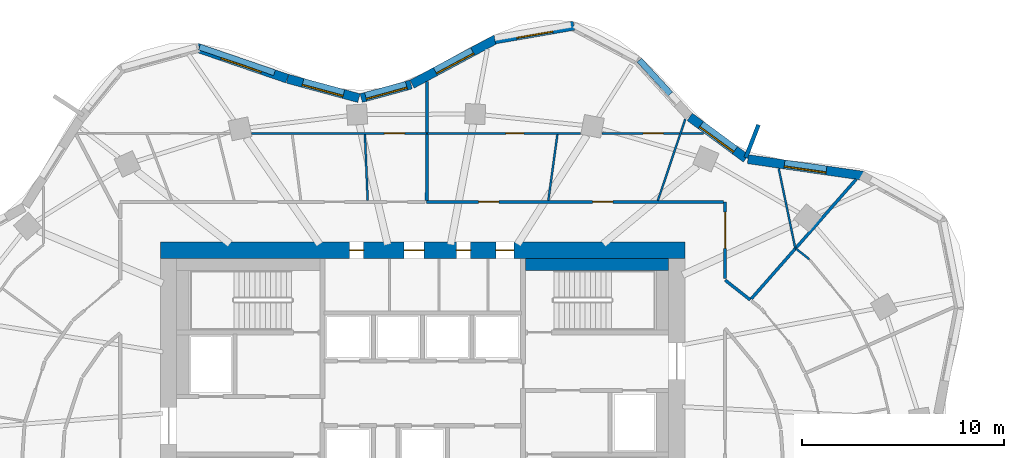
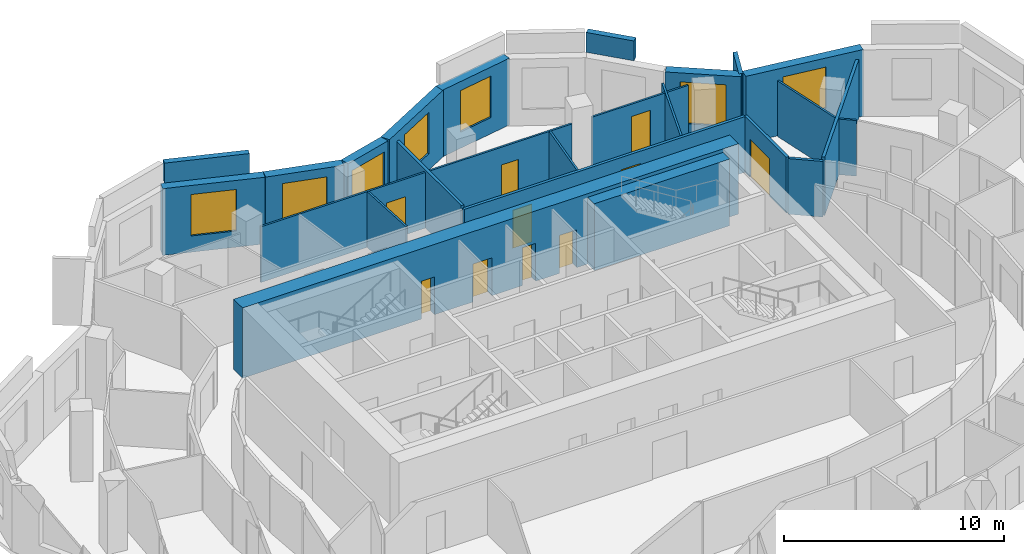
# One storey, part 9 of 11: 25 walls, 10 doors, 7 windows, 17 openings.
"""IFC4 building model written with IfcOpenShell, lengths in metres."""

from ifc_helpers import new_model, si_unit, direction, frame, frame_2d, origin, place, context, subcontext, project, spatial, rectangle, extrude, material, layer, layer_set, type_object, element, fill, save


model = new_model("IFC4")

# Units and contexts
model_context = context("Model", 3, precision=1e-05, world=origin(), true_north=direction((0.0, 1.0)))
body_context = subcontext(model_context, "Body", "Model", "MODEL_VIEW")
ifc_project = project(units=[si_unit("LENGTHUNIT", "METRE"), si_unit("AREAUNIT", "SQUARE_METRE"), si_unit("VOLUMEUNIT", "CUBIC_METRE"), si_unit("PLANEANGLEUNIT", "RADIAN"), si_unit("MASSUNIT", "GRAM", prefix="KILO")], contexts=[model_context])

# Site, building, storey
site_placement = place(None, origin())
site = spatial("IfcSite", under=ifc_project, at=site_placement, CompositionType="ELEMENT")
building_placement = place(site_placement, origin())
building = spatial("IfcBuilding", under=site, at=building_placement, Name="Rubra Terraces Tower", CompositionType="ELEMENT")
storey_placement = place(building_placement, frame((0.0, 0.0, 181.800048828125)))
storey = spatial("IfcBuildingStorey", under=building, at=storey_placement, Name="L44", CompositionType="ELEMENT", Elevation=181.800048828125)

# Wall, opening, window
ifc_material_1 = material(Name="Brick masonry red-brown", Category="masonry")
ifc_layer_1 = layer(ifc_material_1, 0.449951171875)
ifc_layer_set_1 = layer_set([ifc_layer_1], Name="Brick masonry red-brown")
wall_type_1 = type_object("IfcWallType", Name="Brick facade wall 450", PredefinedType="SOLIDWALL", material=ifc_layer_set_1)
wall_1_placement = place(storey_placement, frame((21.8251953125, 15.297119140625, 0.0), z_axis=(0.0, 0.0, 1.0), x_axis=(-0.98971474215, 0.143054986527, 0.0)))
wall_1 = element("IfcWall", 1, at=wall_1_placement, inside=storey, type_object=wall_type_1, Name="Facade wall L44 bay 5", PredefinedType="SOLIDWALL", context=body_context, shape_type="SweptSolid", body=[
    extrude(rectangle(XDim=5.7529296875, YDim=0.449951171875, at=frame_2d((2.87646484375, 0.0))), origin(), (0.0, 0.0, 1.0), 3.699951171875),
])
opening_1_placement = place(wall_1_placement, frame((1.826416015625, 0.0, 0.89990234375)))
opening_1 = element("IfcOpeningElement", 2, at=opening_1_placement, cuts=wall_1, Name="Opening W1B", PredefinedType="OPENING", context=body_context, shape_type="SweptSolid", body=[
    extrude(rectangle(XDim=2.10009765625, YDim=2.300048828125, at=frame_2d((1.050048828125, 1.14990234375))), frame((0.0, 0.23486328125, 0.0), z_axis=(0.0, -1.0, 0.0), x_axis=(1.0, 0.0, 0.0)), (0.0, 0.0, 1.0), 0.469970703125),
])
ifc_material_2 = material(Name="Clear glass in aluminium frame", Category="aluminium")
window_type_1 = type_object("IfcWindowType", Name="Fixed deep-set window tall storey 2100 x 2300", PartitioningType="SINGLE_PANEL", PredefinedType="WINDOW", material=ifc_material_2)
window_1_placement = place(opening_1_placement, origin())
window_1 = element("IfcWindow", 3, at=window_1_placement, inside=storey, type_object=window_type_1, Name="Window L44 bay 5", OverallHeight=2.300048828125, OverallWidth=2.10009765625, PartitioningType="SINGLE_PANEL", PredefinedType="WINDOW", context=body_context, shape_type="SweptSolid", body=[
    extrude(rectangle(XDim=2.10009765625, YDim=2.300048828125, at=frame_2d((1.050048828125, 1.14990234375))), frame((0.0, 0.135009765625, 0.0), z_axis=(0.0, -1.0, 0.0), x_axis=(1.0, 0.0, 0.0)), (0.0, 0.0, 1.0), 0.06005859375),
])
fill(opening_1, window_1)

wall_2_placement = place(storey_placement, frame((16.03564453125, 16.15771484375, 0.0), z_axis=(0.0, 0.0, 1.0), x_axis=(-0.805181432967, 0.593028549064, 0.0)))
wall_2 = element("IfcWall", 4, at=wall_2_placement, inside=storey, type_object=wall_type_1, Name="Facade wall L44 bay 6", PredefinedType="SOLIDWALL", context=body_context, shape_type="SweptSolid", body=[
    extrude(rectangle(XDim=3.468505859375, YDim=0.449951171875, at=frame_2d((1.734375, 0.0))), origin(), (0.0, 0.0, 1.0), 3.699951171875),
])
opening_2_placement = place(wall_2_placement, frame((0.684326171875, 0.0, 0.89990234375)))
opening_2 = element("IfcOpeningElement", 5, at=opening_2_placement, cuts=wall_2, Name="Opening W1B", PredefinedType="OPENING", context=body_context, shape_type="SweptSolid", body=[
    extrude(rectangle(XDim=2.10009765625, YDim=2.300048828125, at=frame_2d((1.050048828125, 1.14990234375))), frame((0.0, 0.23486328125, 0.0), z_axis=(0.0, -1.0, 0.0), x_axis=(1.0, 0.0, 0.0)), (0.0, 0.0, 1.0), 0.469970703125),
])
window_2_placement = place(opening_2_placement, origin())
window_2 = element("IfcWindow", 6, at=window_2_placement, inside=storey, type_object=window_type_1, Name="Window L44 bay 6", OverallHeight=2.300048828125, OverallWidth=2.10009765625, PartitioningType="SINGLE_PANEL", PredefinedType="WINDOW", context=body_context, shape_type="SweptSolid", body=[
    extrude(rectangle(XDim=2.10009765625, YDim=2.300048828125, at=frame_2d((1.050048828125, 1.14990234375))), frame((0.0, 0.135009765625, 0.0), z_axis=(0.0, -1.0, 0.0), x_axis=(1.0, 0.0, 0.0)), (0.0, 0.0, 1.0), 0.06005859375),
])
fill(opening_2, window_2)

wall_3_placement = place(storey_placement, frame((7.49853515625, 22.7373046875, 0.0), z_axis=(0.0, 0.0, 1.0), x_axis=(-0.98521220506, -0.171338585849, 0.0)))
wall_3 = element("IfcWall", 7, at=wall_3_placement, inside=storey, type_object=wall_type_1, Name="Facade wall L44 bay 9", PredefinedType="SOLIDWALL", context=body_context, shape_type="SweptSolid", body=[
    extrude(rectangle(XDim=3.979736328125, YDim=0.449951171875, at=frame_2d((1.98974609375, 0.0))), origin(), (0.0, 0.0, 1.0), 3.699951171875),
])
opening_3_placement = place(wall_3_placement, frame((1.08984375, 0.0, 0.89990234375)))
opening_3 = element("IfcOpeningElement", 8, at=opening_3_placement, cuts=wall_3, Name="Opening W6B", PredefinedType="OPENING", context=body_context, shape_type="SweptSolid", body=[
    extrude(rectangle(XDim=1.800048828125, YDim=2.300048828125, at=frame_2d((0.89990234375, 1.14990234375))), frame((0.0, 0.23486328125, 0.0), z_axis=(0.0, -1.0, 0.0), x_axis=(1.0, 0.0, 0.0)), (0.0, 0.0, 1.0), 0.469970703125),
])
window_type_2 = type_object("IfcWindowType", Name="Fixed deep-set window at wind fin tall storey 1800 x 2300", PartitioningType="SINGLE_PANEL", PredefinedType="WINDOW", material=ifc_material_2)
window_3_placement = place(opening_3_placement, origin())
window_3 = element("IfcWindow", 9, at=window_3_placement, inside=storey, type_object=window_type_2, Name="Window L44 bay 9", OverallHeight=2.300048828125, OverallWidth=1.800048828125, PartitioningType="SINGLE_PANEL", PredefinedType="WINDOW", context=body_context, shape_type="SweptSolid", body=[
    extrude(rectangle(XDim=1.800048828125, YDim=2.300048828125, at=frame_2d((0.89990234375, 1.14990234375))), frame((0.0, 0.135009765625, 0.0), z_axis=(0.0, -1.0, 0.0), x_axis=(1.0, 0.0, 0.0)), (0.0, 0.0, 1.0), 0.06005859375),
])
fill(opening_3, window_3)

wall_4_placement = place(storey_placement, frame((3.6455078125, 22.07861328125, 0.0), z_axis=(0.0, 0.0, 1.0), x_axis=(-0.881279133897, -0.472596115259, 0.0)))
wall_4 = element("IfcWall", 10, at=wall_4_placement, inside=storey, type_object=wall_type_1, Name="Facade wall L44 bay 10", PredefinedType="SOLIDWALL", context=body_context, shape_type="SweptSolid", body=[
    extrude(rectangle(XDim=4.736572265625, YDim=0.449951171875, at=frame_2d((2.3681640625, 0.0))), origin(), (0.0, 0.0, 1.0), 3.699951171875),
])
opening_4_placement = place(wall_4_placement, frame((1.318115234375, 0.0, 0.89990234375)))
opening_4 = element("IfcOpeningElement", 11, at=opening_4_placement, cuts=wall_4, Name="Opening W1B", PredefinedType="OPENING", context=body_context, shape_type="SweptSolid", body=[
    extrude(rectangle(XDim=2.10009765625, YDim=2.300048828125, at=frame_2d((1.050048828125, 1.14990234375))), frame((0.0, 0.23486328125, 0.0), z_axis=(0.0, -1.0, 0.0), x_axis=(1.0, 0.0, 0.0)), (0.0, 0.0, 1.0), 0.469970703125),
])
window_4_placement = place(opening_4_placement, origin())
window_4 = element("IfcWindow", 12, at=window_4_placement, inside=storey, type_object=window_type_1, Name="Window L44 bay 10", OverallHeight=2.300048828125, OverallWidth=2.10009765625, PartitioningType="SINGLE_PANEL", PredefinedType="WINDOW", context=body_context, shape_type="SweptSolid", body=[
    extrude(rectangle(XDim=2.10009765625, YDim=2.300048828125, at=frame_2d((1.050048828125, 1.14990234375))), frame((0.0, 0.135009765625, 0.0), z_axis=(0.0, -1.0, 0.0), x_axis=(1.0, 0.0, 0.0)), (0.0, 0.0, 1.0), 0.06005859375),
])
fill(opening_4, window_4)

wall_5_placement = place(storey_placement, frame((-0.576171875, 19.8212890625, 0.0), z_axis=(0.0, 0.0, 1.0), x_axis=(-0.965009398019, -0.262215296532, 0.0)))
wall_5 = element("IfcWall", 13, at=wall_5_placement, inside=storey, type_object=wall_type_1, Name="Facade wall L44 bay 11", PredefinedType="SOLIDWALL", context=body_context, shape_type="SweptSolid", body=[
    extrude(rectangle(XDim=2.565185546875, YDim=0.449951171875, at=frame_2d((1.28271484375, 0.0))), origin(), (0.0, 0.0, 1.0), 3.699951171875),
])
opening_5_placement = place(wall_5_placement, frame((0.232666015625, 0.0, 0.89990234375)))
opening_5 = element("IfcOpeningElement", 14, at=opening_5_placement, cuts=wall_5, Name="Opening W1B", PredefinedType="OPENING", context=body_context, shape_type="SweptSolid", body=[
    extrude(rectangle(XDim=2.10009765625, YDim=2.300048828125, at=frame_2d((1.050048828125, 1.14990234375))), frame((0.0, 0.23486328125, 0.0), z_axis=(0.0, -1.0, 0.0), x_axis=(1.0, 0.0, 0.0)), (0.0, 0.0, 1.0), 0.469970703125),
])
window_5_placement = place(opening_5_placement, origin())
window_5 = element("IfcWindow", 15, at=window_5_placement, inside=storey, type_object=window_type_1, Name="Window L44 bay 11", OverallHeight=2.300048828125, OverallWidth=2.10009765625, PartitioningType="SINGLE_PANEL", PredefinedType="WINDOW", context=body_context, shape_type="SweptSolid", body=[
    extrude(rectangle(XDim=2.10009765625, YDim=2.300048828125, at=frame_2d((1.050048828125, 1.14990234375))), frame((0.0, 0.135009765625, 0.0), z_axis=(0.0, -1.0, 0.0), x_axis=(1.0, 0.0, 0.0)), (0.0, 0.0, 1.0), 0.06005859375),
])
fill(opening_5, window_5)

wall_6_placement = place(storey_placement, frame((-3.164306640625, 19.147216796875, 0.0), z_axis=(0.0, 0.0, 1.0), x_axis=(-0.965039479998, 0.262104563191, 0.0)))
wall_6 = element("IfcWall", 16, at=wall_6_placement, inside=storey, type_object=wall_type_1, Name="Facade wall L44 bay 12", PredefinedType="SOLIDWALL", context=body_context, shape_type="SweptSolid", body=[
    extrude(rectangle(XDim=3.671875, YDim=0.449951171875, at=frame_2d((1.8359375, 0.0))), origin(), (0.0, 0.0, 1.0), 3.699951171875),
])
opening_6_placement = place(wall_6_placement, frame((0.785888671875, 0.0, 0.89990234375)))
opening_6 = element("IfcOpeningElement", 17, at=opening_6_placement, cuts=wall_6, Name="Opening W1B", PredefinedType="OPENING", context=body_context, shape_type="SweptSolid", body=[
    extrude(rectangle(XDim=2.10009765625, YDim=2.300048828125, at=frame_2d((1.050048828125, 1.14990234375))), frame((0.0, 0.23486328125, 0.0), z_axis=(0.0, -1.0, 0.0), x_axis=(1.0, 0.0, 0.0)), (0.0, 0.0, 1.0), 0.469970703125),
])
window_6_placement = place(opening_6_placement, origin())
window_6 = element("IfcWindow", 18, at=window_6_placement, inside=storey, type_object=window_type_1, Name="Window L44 bay 12", OverallHeight=2.300048828125, OverallWidth=2.10009765625, PartitioningType="SINGLE_PANEL", PredefinedType="WINDOW", context=body_context, shape_type="SweptSolid", body=[
    extrude(rectangle(XDim=2.10009765625, YDim=2.300048828125, at=frame_2d((1.050048828125, 1.14990234375))), frame((0.0, 0.135009765625, 0.0), z_axis=(0.0, -1.0, 0.0), x_axis=(1.0, 0.0, 0.0)), (0.0, 0.0, 1.0), 0.06005859375),
])
fill(opening_6, window_6)

wall_7_placement = place(storey_placement, frame((-6.722900390625, 20.114013671875, 0.0), z_axis=(0.0, 0.0, 1.0), x_axis=(-0.945947299026, 0.324320377815, 0.0)))
wall_7 = element("IfcWall", 19, at=wall_7_placement, inside=storey, type_object=wall_type_1, Name="Facade wall L44 bay 13", PredefinedType="SOLIDWALL", context=body_context, shape_type="SweptSolid", body=[
    extrude(rectangle(XDim=4.74462890625, YDim=0.449951171875, at=frame_2d((2.372314453125, 0.0))), origin(), (0.0, 0.0, 1.0), 3.699951171875),
])
opening_7_placement = place(wall_7_placement, frame((1.322265625, 0.0, 0.89990234375)))
opening_7 = element("IfcOpeningElement", 20, at=opening_7_placement, cuts=wall_7, Name="Opening W1B", PredefinedType="OPENING", context=body_context, shape_type="SweptSolid", body=[
    extrude(rectangle(XDim=2.10009765625, YDim=2.300048828125, at=frame_2d((1.050048828125, 1.14990234375))), frame((0.0, 0.23486328125, 0.0), z_axis=(0.0, -1.0, 0.0), x_axis=(1.0, 0.0, 0.0)), (0.0, 0.0, 1.0), 0.469970703125),
])
window_7_placement = place(opening_7_placement, origin())
window_7 = element("IfcWindow", 21, at=window_7_placement, inside=storey, type_object=window_type_1, Name="Window L44 bay 13", OverallHeight=2.300048828125, OverallWidth=2.10009765625, PartitioningType="SINGLE_PANEL", PredefinedType="WINDOW", context=body_context, shape_type="SweptSolid", body=[
    extrude(rectangle(XDim=2.10009765625, YDim=2.300048828125, at=frame_2d((1.050048828125, 1.14990234375))), frame((0.0, 0.135009765625, 0.0), z_axis=(0.0, -1.0, 0.0), x_axis=(1.0, 0.0, 0.0)), (0.0, 0.0, 1.0), 0.06005859375),
])
fill(opening_7, window_7)

# Walls
ifc_layer_2 = layer(ifc_material_1, 0.300048828125)
ifc_layer_set_2 = layer_set([ifc_layer_2], Name="Brick masonry red-brown")
wall_type_2 = type_object("IfcWallType", Name="Brick parapet 300", PredefinedType="PARAPET", material=ifc_layer_set_2)
wall_8_placement = place(storey_placement, frame((12.287841796875, 19.353759765625, 3.89990234375), z_axis=(0.0, 0.0, 1.0), x_axis=(-0.677603807485, 0.735427141246, 0.0)))
element("IfcWall", 22, at=wall_8_placement, inside=storey, type_object=wall_type_2, Name="Parapet L44 bay 7", PredefinedType="PARAPET", context=body_context, shape_type="SweptSolid", body=[
    extrude(rectangle(XDim=2.280029296875, YDim=0.300048828125, at=frame_2d((1.14013671875, 0.0))), origin(), (0.0, 0.0, 1.0), 1.10009765625),
])
wall_9_placement = place(storey_placement, frame((-7.3515625, 20.40869140625, 3.89990234375), z_axis=(0.0, 0.0, 1.0), x_axis=(-0.945937789937, 0.32434811171, 0.0)))
element("IfcWall", 23, at=wall_9_placement, inside=storey, type_object=wall_type_2, Name="Parapet L44 bay 13", PredefinedType="PARAPET", context=body_context, shape_type="SweptSolid", body=[
    extrude(rectangle(XDim=3.93603515625, YDim=0.300048828125, at=frame_2d((1.968017578125, 0.0))), origin(), (0.0, 0.0, 1.0), 1.10009765625),
])
ifc_layer_3 = layer(ifc_material_1, 0.199951171875)
ifc_layer_set_3 = layer_set([ifc_layer_3], Name="Brick masonry red-brown")
wall_type_3 = type_object("IfcWallType", Name="Brick wind fin 200", PredefinedType="SOLIDWALL", material=ifc_layer_set_3)
wall_10_placement = place(storey_placement, frame((16.01904296875, 16.195068359375, 0.0), z_axis=(0.0, 0.0, 1.0), x_axis=(0.362641522028, 0.931928713208, 0.0)))
element("IfcWall", 24, at=wall_10_placement, inside=storey, type_object=wall_type_3, Name="Wind fin L44 4", PredefinedType="SOLIDWALL", context=body_context, shape_type="SweptSolid", body=[
    extrude(rectangle(XDim=1.749755859375, YDim=0.199951171875, at=frame_2d((0.875, 0.0))), origin(), (0.0, 0.0, 1.0), 3.699951171875),
])

# Wall, openings, doors
ifc_material_3 = material(Name="Concrete C50", Category="concrete")
ifc_layer_4 = layer(ifc_material_3, 0.800048828125)
ifc_layer_set_4 = layer_set([ifc_layer_4], Name="Concrete C50")
wall_type_4 = type_object("IfcWallType", Name="CORE WALL 800 C50", PredefinedType="SHEAR", material=ifc_layer_set_4)
wall_11_placement = place(storey_placement, frame((-13.0, 11.60009765625, 0.0), z_axis=(0.0, 0.0, 1.0), x_axis=(1.0, 0.0, 0.0)))
wall_11 = element("IfcWall", 25, at=wall_11_placement, inside=storey, type_object=wall_type_4, Name="CORE WALL N L44", PredefinedType="SHEAR", context=body_context, shape_type="SweptSolid", body=[
    extrude(rectangle(XDim=26.0, YDim=0.800048828125, at=frame_2d((13.0, 0.0))), origin(), (0.0, 0.0, 1.0), 3.89990234375),
])
opening_8_placement = place(wall_11_placement, frame((9.375, 0.0, 0.0)))
opening_8 = element("IfcOpeningElement", 26, at=opening_8_placement, cuts=wall_11, Name="Opening L44.C25", PredefinedType="OPENING", context=body_context, shape_type="SweptSolid", body=[
    extrude(rectangle(XDim=0.699951171875, YDim=2.10009765625, at=frame_2d((0.35009765625, 1.050048828125))), frame((0.0, 0.409912109375, 0.0), z_axis=(0.0, -1.0, 0.0), x_axis=(1.0, 0.0, 0.0)), (0.0, 0.0, 1.0), 0.820068359375),
])
opening_9_placement = place(wall_11_placement, frame((12.074951171875, 0.0, 0.0)))
opening_9 = element("IfcOpeningElement", 27, at=opening_9_placement, cuts=wall_11, Name="Opening L44.C26", PredefinedType="OPENING", context=body_context, shape_type="SweptSolid", body=[
    extrude(rectangle(XDim=1.0, YDim=2.10009765625, at=frame_2d((0.5, 1.050048828125))), frame((0.0, 0.409912109375, 0.0), z_axis=(0.0, -1.0, 0.0), x_axis=(1.0, 0.0, 0.0)), (0.0, 0.0, 1.0), 0.820068359375),
])
opening_10_placement = place(wall_11_placement, frame((14.675048828125, 0.0, 0.0)))
opening_10 = element("IfcOpeningElement", 28, at=opening_10_placement, cuts=wall_11, Name="Opening L44.C27", PredefinedType="OPENING", context=body_context, shape_type="SweptSolid", body=[
    extrude(rectangle(XDim=0.699951171875, YDim=2.10009765625, at=frame_2d((0.35009765625, 1.050048828125))), frame((0.0, 0.409912109375, 0.0), z_axis=(0.0, -1.0, 0.0), x_axis=(1.0, 0.0, 0.0)), (0.0, 0.0, 1.0), 0.820068359375),
])
opening_11_placement = place(wall_11_placement, frame((16.625, 0.0, 0.0)))
opening_11 = element("IfcOpeningElement", 29, at=opening_11_placement, cuts=wall_11, Name="Opening L44.C28", PredefinedType="OPENING", context=body_context, shape_type="SweptSolid", body=[
    extrude(rectangle(XDim=0.89990234375, YDim=2.10009765625, at=frame_2d((0.449951171875, 1.050048828125))), frame((0.0, 0.409912109375, 0.0), z_axis=(0.0, -1.0, 0.0), x_axis=(1.0, 0.0, 0.0)), (0.0, 0.0, 1.0), 0.820068359375),
])
ifc_material_4 = material(Name="Painted steel", Category="steel")
door_type_1 = type_object("IfcDoorType", Name="Fire door 1000x2100 single", OperationType="NOTDEFINED", PredefinedType="DOOR", material=ifc_material_4)
door_1_placement = place(opening_9_placement, origin())
door_1 = element("IfcDoor", 30, at=door_1_placement, inside=storey, type_object=door_type_1, Name="General store door", OperationType="SINGLE_SWING_RIGHT", OverallHeight=2.10009765625, OverallWidth=1.0, PredefinedType="DOOR", context=body_context, shape_type="SweptSolid", body=[
    extrude(rectangle(XDim=1.0, YDim=2.10009765625, at=frame_2d((0.5, 1.050048828125))), frame((0.0, 0.02490234375, 0.0), z_axis=(0.0, -1.0, 0.0), x_axis=(1.0, 0.0, 0.0)), (0.0, 0.0, 1.0), 0.050048828125),
])
fill(opening_9, door_1)
door_type_2 = type_object("IfcDoorType", Name="Fire door 900x2100 single", OperationType="NOTDEFINED", PredefinedType="DOOR", material=ifc_material_4)
door_2_placement = place(opening_11_placement, origin())
door_2 = element("IfcDoor", 31, at=door_2_placement, inside=storey, type_object=door_type_2, Name="Cleaner's store door", OperationType="SINGLE_SWING_RIGHT", OverallHeight=2.10009765625, OverallWidth=0.89990234375, PredefinedType="DOOR", context=body_context, shape_type="SweptSolid", body=[
    extrude(rectangle(XDim=0.89990234375, YDim=2.10009765625, at=frame_2d((0.449951171875, 1.050048828125))), frame((0.0, 0.02490234375, 0.0), z_axis=(0.0, -1.0, 0.0), x_axis=(1.0, 0.0, 0.0)), (0.0, 0.0, 1.0), 0.050048828125),
])
fill(opening_11, door_2)
door_type_3 = type_object("IfcDoorType", Name="Riser access door 700x2100 single", OperationType="NOTDEFINED", PredefinedType="DOOR", material=ifc_material_4)
door_3_placement = place(opening_8_placement, origin())
door_3 = element("IfcDoor", 32, at=door_3_placement, inside=storey, type_object=door_type_3, Name="Telecoms room door", OperationType="SINGLE_SWING_LEFT", OverallHeight=2.10009765625, OverallWidth=0.699951171875, PredefinedType="DOOR", context=body_context, shape_type="SweptSolid", body=[
    extrude(rectangle(XDim=0.699951171875, YDim=2.10009765625, at=frame_2d((0.35009765625, 1.050048828125))), frame((0.0, 0.02490234375, 0.0), z_axis=(0.0, -1.0, 0.0), x_axis=(1.0, 0.0, 0.0)), (0.0, 0.0, 1.0), 0.050048828125),
])
fill(opening_8, door_3)
door_4_placement = place(opening_10_placement, origin())
door_4 = element("IfcDoor", 33, at=door_4_placement, inside=storey, type_object=door_type_3, Name="Electrical riser room door", OperationType="SINGLE_SWING_LEFT", OverallHeight=2.10009765625, OverallWidth=0.699951171875, PredefinedType="DOOR", context=body_context, shape_type="SweptSolid", body=[
    extrude(rectangle(XDim=0.699951171875, YDim=2.10009765625, at=frame_2d((0.35009765625, 1.050048828125))), frame((0.0, 0.02490234375, 0.0), z_axis=(0.0, -1.0, 0.0), x_axis=(1.0, 0.0, 0.0)), (0.0, 0.0, 1.0), 0.050048828125),
])
fill(opening_10, door_4)

# Wall
ifc_material_5 = material(Name="Plasterboard on steel stud, mineral wool infill", Category="steel")
ifc_layer_5 = layer(ifc_material_5, 0.14990234375)
ifc_layer_set_5 = layer_set([ifc_layer_5], Name="Plasterboard on steel stud, mineral wool infill")
wall_type_5 = type_object("IfcWallType", Name="CORRIDOR PARTITION 150", PredefinedType="PARTITIONING", material=ifc_layer_set_5)
wall_12_placement = place(storey_placement, frame((16.246337890625, 9.13818359375, 0.0), z_axis=(0.0, 0.0, 1.0), x_axis=(-0.785126783061, 0.619335074512, 0.0)))
element("IfcWall", 34, at=wall_12_placement, inside=storey, type_object=wall_type_5, Name="PARTITION", PredefinedType="PARTITIONING", context=body_context, shape_type="SweptSolid", body=[
    extrude(rectangle(XDim=1.58740234375, YDim=0.14990234375, at=frame_2d((0.793701171875, 0.0))), origin(), (0.0, 0.0, 1.0), 3.083984375),
])

# Wall, opening, door
wall_13_placement = place(storey_placement, frame((15.0, 10.1962890625, 0.0), z_axis=(0.0, 0.0, 1.0), x_axis=(0.0, 1.0, 0.0)))
wall_13 = element("IfcWall", 35, at=wall_13_placement, inside=storey, type_object=wall_type_5, Name="PARTITION", PredefinedType="PARTITIONING", context=body_context, shape_type="SweptSolid", body=[
    extrude(rectangle(XDim=3.8037109375, YDim=0.14990234375, at=frame_2d((1.90185546875, 0.0))), origin(), (0.0, 0.0, 1.0), 3.083984375),
])
opening_12_placement = place(wall_13_placement, frame((1.5, 0.0, 0.0)))
opening_12 = element("IfcOpeningElement", 36, at=opening_12_placement, cuts=wall_13, Name="Opening 44-101", PredefinedType="OPENING", context=body_context, shape_type="SweptSolid", body=[
    extrude(rectangle(XDim=1.800048828125, YDim=2.10009765625, at=frame_2d((0.89990234375, 1.050048828125))), frame((0.0, 0.0849609375, 0.0), z_axis=(0.0, -1.0, 0.0), x_axis=(1.0, 0.0, 0.0)), (0.0, 0.0, 1.0), 0.169921875),
])
ifc_material_6 = material(Name="Painted timber door leaf, double", Category="wood")
door_type_4 = type_object("IfcDoorType", Name="ROOM DOUBLE DOOR 1800 X 2100", OperationType="DOUBLE_DOOR_SINGLE_SWING", PredefinedType="DOOR", material=ifc_material_6)
door_5_placement = place(opening_12_placement, origin())
door_5 = element("IfcDoor", 37, at=door_5_placement, inside=storey, type_object=door_type_4, Name="DOOR 44-101", OperationType="DOUBLE_DOOR_SINGLE_SWING", OverallHeight=2.10009765625, OverallWidth=1.800048828125, PredefinedType="DOOR", context=body_context, shape_type="SweptSolid", body=[
    extrude(rectangle(XDim=1.800048828125, YDim=2.10009765625, at=frame_2d((0.89990234375, 1.050048828125))), frame((0.0, 0.02490234375, 0.0), z_axis=(0.0, -1.0, 0.0), x_axis=(1.0, 0.0, 0.0)), (0.0, 0.0, 1.0), 0.050048828125),
])
fill(opening_12, door_5)

# Wall, openings, doors
wall_14_placement = place(storey_placement, frame((14.925048828125, 14.0, 0.0), z_axis=(0.0, 0.0, 1.0), x_axis=(-1.0, 0.0, 0.0)))
wall_14 = element("IfcWall", 38, at=wall_14_placement, inside=storey, type_object=wall_type_5, Name="PARTITION", PredefinedType="PARTITIONING", context=body_context, shape_type="SweptSolid", body=[
    extrude(rectangle(XDim=14.724853515625, YDim=0.14990234375, at=frame_2d((7.3623046875, 0.0))), origin(), (0.0, 0.0, 1.0), 3.083984375),
])
opening_13_placement = place(wall_14_placement, frame((5.4951171875, 0.0, 0.0)))
opening_13 = element("IfcOpeningElement", 39, at=opening_13_placement, cuts=wall_14, Name="Opening 44-102", PredefinedType="OPENING", context=body_context, shape_type="SweptSolid", body=[
    extrude(rectangle(XDim=1.0, YDim=2.39990234375, at=frame_2d((0.5, 1.199951171875))), frame((0.0, 0.0849609375, 0.0), z_axis=(0.0, -1.0, 0.0), x_axis=(1.0, 0.0, 0.0)), (0.0, 0.0, 1.0), 0.169921875),
])
opening_14_placement = place(wall_14_placement, frame((11.14990234375, 0.0, 0.0)))
opening_14 = element("IfcOpeningElement", 40, at=opening_14_placement, cuts=wall_14, Name="Opening 44-133", PredefinedType="OPENING", context=body_context, shape_type="SweptSolid", body=[
    extrude(rectangle(XDim=1.0, YDim=2.10009765625, at=frame_2d((0.5, 1.050048828125))), frame((0.0, 0.0849609375, 0.0), z_axis=(0.0, -1.0, 0.0), x_axis=(1.0, 0.0, 0.0)), (0.0, 0.0, 1.0), 0.169921875),
])
ifc_material_7 = material(Name="Glazed aluminium meeting door leaf", Category="aluminium")
door_type_5 = type_object("IfcDoorType", Name="MEETING ROOM GLAZED DOOR 1000 X 2400", OperationType="SINGLE_SWING_LEFT", PredefinedType="DOOR", material=ifc_material_7)
door_6_placement = place(opening_13_placement, origin())
door_6 = element("IfcDoor", 41, at=door_6_placement, inside=storey, type_object=door_type_5, Name="DOOR 44-102", OperationType="SINGLE_SWING_RIGHT", OverallHeight=2.39990234375, OverallWidth=1.0, PredefinedType="DOOR", context=body_context, shape_type="SweptSolid", body=[
    extrude(rectangle(XDim=1.0, YDim=2.39990234375, at=frame_2d((0.5, 1.199951171875))), frame((0.0, 0.02490234375, 0.0), z_axis=(0.0, -1.0, 0.0), x_axis=(1.0, 0.0, 0.0)), (0.0, 0.0, 1.0), 0.050048828125),
])
fill(opening_13, door_6)
ifc_material_8 = material(Name="Painted timber door leaf", Category="wood")
door_type_6 = type_object("IfcDoorType", Name="ROOM DOOR 1000 X 2100", OperationType="SINGLE_SWING_LEFT", PredefinedType="DOOR", material=ifc_material_8)
door_7_placement = place(opening_14_placement, origin())
door_7 = element("IfcDoor", 42, at=door_7_placement, inside=storey, type_object=door_type_6, Name="DOOR 44-133", OperationType="SINGLE_SWING_RIGHT", OverallHeight=2.10009765625, OverallWidth=1.0, PredefinedType="DOOR", context=body_context, shape_type="SweptSolid", body=[
    extrude(rectangle(XDim=1.0, YDim=2.10009765625, at=frame_2d((0.5, 1.050048828125))), frame((0.0, 0.02490234375, 0.0), z_axis=(0.0, -1.0, 0.0), x_axis=(1.0, 0.0, 0.0)), (0.0, 0.0, 1.0), 0.050048828125),
])
fill(opening_14, door_7)

# Wall
ifc_material_9 = material(Name="Concrete C40", Category="concrete")
ifc_layer_6 = layer(ifc_material_9, 0.60009765625)
ifc_layer_set_6 = layer_set([ifc_layer_6], Name="Concrete C40")
wall_type_6 = type_object("IfcWallType", Name="Core lining wall 600 concrete", PredefinedType="SOLIDWALL", material=ifc_layer_set_6)
wall_15_placement = place(storey_placement, frame((12.199951171875, 10.89990234375, 0.0), z_axis=(0.0, 0.0, 1.0), x_axis=(-1.0, 0.0, 0.0)))
element("IfcWall", 43, at=wall_15_placement, inside=storey, type_object=wall_type_6, Name="CORE LINING WALL L44", PredefinedType="SOLIDWALL", context=body_context, shape_type="SweptSolid", body=[
    extrude(rectangle(XDim=7.099853515625, YDim=0.60009765625, at=frame_2d((3.5498046875, 0.0))), origin(), (0.0, 0.0, 1.0), 3.699951171875),
])

# Wall, opening, door
ifc_material_10 = material(Name="Plasterboard on steel stud", Category="steel")
ifc_layer_7 = layer(ifc_material_10, 0.10009765625)
ifc_layer_set_7 = layer_set([ifc_layer_7], Name="Plasterboard on steel stud")
wall_type_7 = type_object("IfcWallType", Name="ROOM PARTITION 100", PredefinedType="PARTITIONING", material=ifc_layer_set_7)
wall_16_placement = place(storey_placement, frame((0.228271484375, 17.39990234375, 0.0), z_axis=(0.0, 0.0, 1.0), x_axis=(1.0, 0.0, 0.0)))
wall_16 = element("IfcWall", 44, at=wall_16_placement, inside=storey, type_object=wall_type_7, Name="PARTITION", PredefinedType="PARTITIONING", context=body_context, shape_type="SweptSolid", body=[
    extrude(rectangle(XDim=7.59619140625, YDim=0.10009765625, at=frame_2d((3.798095703125, 0.0))), origin(), (0.0, 0.0, 1.0), 3.083984375),
])
opening_15_placement = place(wall_16_placement, frame((3.89404296875, 0.0, 0.0)))
opening_15 = element("IfcOpeningElement", 45, at=opening_15_placement, cuts=wall_16, Name="Opening 44-103", PredefinedType="OPENING", context=body_context, shape_type="SweptSolid", body=[
    extrude(rectangle(XDim=0.89990234375, YDim=2.10009765625, at=frame_2d((0.449951171875, 1.050048828125))), frame((0.0, 0.06005859375, 0.0), z_axis=(0.0, -1.0, 0.0), x_axis=(1.0, 0.0, 0.0)), (0.0, 0.0, 1.0), 0.1201171875),
])
door_type_7 = type_object("IfcDoorType", Name="ROOM DOOR 900 X 2100", OperationType="SINGLE_SWING_LEFT", PredefinedType="DOOR", material=ifc_material_8)
door_8_placement = place(opening_15_placement, origin())
door_8 = element("IfcDoor", 46, at=door_8_placement, inside=storey, type_object=door_type_7, Name="DOOR 44-103", OperationType="SINGLE_SWING_LEFT", OverallHeight=2.10009765625, OverallWidth=0.89990234375, PredefinedType="DOOR", context=body_context, shape_type="SweptSolid", body=[
    extrude(rectangle(XDim=0.89990234375, YDim=2.10009765625, at=frame_2d((0.449951171875, 1.050048828125))), frame((0.0, 0.02490234375, 0.0), z_axis=(0.0, -1.0, 0.0), x_axis=(1.0, 0.0, 0.0)), (0.0, 0.0, 1.0), 0.050048828125),
])
fill(opening_15, door_8)

wall_17_placement = place(storey_placement, frame((8.8837890625, 17.39990234375, 0.0), z_axis=(0.0, 0.0, 1.0), x_axis=(1.0, 0.0, 0.0)))
wall_17 = element("IfcWall", 47, at=wall_17_placement, inside=storey, type_object=wall_type_7, Name="PARTITION", PredefinedType="PARTITIONING", context=body_context, shape_type="SweptSolid", body=[
    extrude(rectangle(XDim=5.05224609375, YDim=0.10009765625, at=frame_2d((2.526123046875, 0.0))), origin(), (0.0, 0.0, 1.0), 3.083984375),
])
opening_16_placement = place(wall_17_placement, frame((2.050048828125, 0.0, 0.0)))
opening_16 = element("IfcOpeningElement", 48, at=opening_16_placement, cuts=wall_17, Name="Opening 44-132", PredefinedType="OPENING", context=body_context, shape_type="SweptSolid", body=[
    extrude(rectangle(XDim=1.0, YDim=2.39990234375, at=frame_2d((0.5, 1.199951171875))), frame((0.0, 0.06005859375, 0.0), z_axis=(0.0, -1.0, 0.0), x_axis=(1.0, 0.0, 0.0)), (0.0, 0.0, 1.0), 0.1201171875),
])
door_9_placement = place(opening_16_placement, origin())
door_9 = element("IfcDoor", 49, at=door_9_placement, inside=storey, type_object=door_type_5, Name="DOOR 44-132", OperationType="SINGLE_SWING_LEFT", OverallHeight=2.39990234375, OverallWidth=1.0, PredefinedType="DOOR", context=body_context, shape_type="SweptSolid", body=[
    extrude(rectangle(XDim=1.0, YDim=2.39990234375, at=frame_2d((0.5, 1.199951171875))), frame((0.0, 0.02490234375, 0.0), z_axis=(0.0, -1.0, 0.0), x_axis=(1.0, 0.0, 0.0)), (0.0, 0.0, 1.0), 0.050048828125),
])
fill(opening_16, door_9)

# Walls
wall_18_placement = place(storey_placement, frame((17.656494140625, 15.652099609375, 0.0), z_axis=(0.0, 0.0, 1.0), x_axis=(0.203733969948, -0.979026286414, 0.0)))
element("IfcWall", 50, at=wall_18_placement, inside=storey, type_object=wall_type_7, Name="PARTITION", PredefinedType="PARTITIONING", context=body_context, shape_type="SweptSolid", body=[
    extrude(rectangle(XDim=4.027587890625, YDim=0.10009765625, at=frame_2d((2.013671875, 0.0))), origin(), (0.0, 0.0, 1.0), 3.083984375),
])
wall_19_placement = place(storey_placement, frame((11.663818359375, 14.071044921875, 0.0), z_axis=(0.0, 0.0, 1.0), x_axis=(0.319050122348, 0.947737843198, 0.0)))
element("IfcWall", 51, at=wall_19_placement, inside=storey, type_object=wall_type_7, Name="PARTITION", PredefinedType="PARTITIONING", context=body_context, shape_type="SweptSolid", body=[
    extrude(rectangle(XDim=4.25390625, YDim=0.10009765625, at=frame_2d((2.126953125, 0.0))), origin(), (0.0, 0.0, 1.0), 3.083984375),
])
wall_20_placement = place(storey_placement, frame((6.230712890625, 14.07421875, 0.0), z_axis=(0.0, 0.0, 1.0), x_axis=(0.135982862237, 0.990711189589, 0.0)))
element("IfcWall", 52, at=wall_20_placement, inside=storey, type_object=wall_type_7, Name="PARTITION", PredefinedType="PARTITIONING", context=body_context, shape_type="SweptSolid", body=[
    extrude(rectangle(XDim=3.30712890625, YDim=0.10009765625, at=frame_2d((1.653564453125, 0.0))), origin(), (0.0, 0.0, 1.0), 3.083984375),
])

# Wall, opening, door
wall_21_placement = place(storey_placement, frame((-8.482666015625, 17.39990234375, 0.0), z_axis=(0.0, 0.0, 1.0), x_axis=(1.0, 0.0, 0.0)))
wall_21 = element("IfcWall", 53, at=wall_21_placement, inside=storey, type_object=wall_type_7, Name="PARTITION", PredefinedType="PARTITIONING", context=body_context, shape_type="SweptSolid", body=[
    extrude(rectangle(XDim=8.6708984375, YDim=0.10009765625, at=frame_2d((4.33544921875, 0.0))), origin(), (0.0, 0.0, 1.0), 3.083984375),
])
opening_17_placement = place(wall_21_placement, frame((6.58203125, 0.0, 0.0)))
opening_17 = element("IfcOpeningElement", 54, at=opening_17_placement, cuts=wall_21, Name="Opening 44-105", PredefinedType="OPENING", context=body_context, shape_type="SweptSolid", body=[
    extrude(rectangle(XDim=1.0, YDim=2.10009765625, at=frame_2d((0.5, 1.050048828125))), frame((0.0, 0.06005859375, 0.0), z_axis=(0.0, -1.0, 0.0), x_axis=(1.0, 0.0, 0.0)), (0.0, 0.0, 1.0), 0.1201171875),
])
door_10_placement = place(opening_17_placement, origin())
door_10 = element("IfcDoor", 55, at=door_10_placement, inside=storey, type_object=door_type_6, Name="DOOR 44-105", OperationType="SINGLE_SWING_LEFT", OverallHeight=2.10009765625, OverallWidth=1.0, PredefinedType="DOOR", context=body_context, shape_type="SweptSolid", body=[
    extrude(rectangle(XDim=1.0, YDim=2.10009765625, at=frame_2d((0.5, 1.050048828125))), frame((0.0, 0.02490234375, 0.0), z_axis=(0.0, -1.0, 0.0), x_axis=(1.0, 0.0, 0.0)), (0.0, 0.0, 1.0), 0.050048828125),
])
fill(opening_17, door_10)

# Walls
wall_22_placement = place(storey_placement, frame((-2.728515625, 14.074951171875, 0.0), z_axis=(0.0, 0.0, 1.0), x_axis=(-0.042005382394, 0.99911738442, 0.0)))
element("IfcWall", 56, at=wall_22_placement, inside=storey, type_object=wall_type_7, Name="PARTITION", PredefinedType="PARTITIONING", context=body_context, shape_type="SweptSolid", body=[
    extrude(rectangle(XDim=3.278076171875, YDim=0.10009765625, at=frame_2d((1.63916015625, 0.0))), origin(), (0.0, 0.0, 1.0), 3.083984375),
])
wall_23_placement = place(storey_placement, frame((18.50830078125, 11.68408203125, 0.0), z_axis=(0.0, 0.0, 1.0), x_axis=(0.785067093858, -0.619410734603, 0.0)))
element("IfcWall", 57, at=wall_23_placement, inside=storey, type_object=wall_type_7, Name="PARTITION", PredefinedType="PARTITIONING", context=body_context, shape_type="SweptSolid", body=[
    extrude(rectangle(XDim=0.847412109375, YDim=0.10009765625, at=frame_2d((0.423828125, 0.0))), origin(), (0.0, 0.0, 1.0), 3.083984375),
])
ifc_layer_8 = layer(ifc_material_10, 0.14990234375)
ifc_layer_set_8 = layer_set([ifc_layer_8], Name="Plasterboard on steel stud")
wall_type_8 = type_object("IfcWallType", Name="ROOM PARTITION 150", PredefinedType="PARTITIONING", material=ifc_layer_set_8)
wall_24_placement = place(storey_placement, frame((21.492919921875, 15.11376953125, 0.0), z_axis=(0.0, 0.0, 1.0), x_axis=(-0.659778549164, -0.751460089467, 0.0)))
element("IfcWall", 58, at=wall_24_placement, inside=storey, type_object=wall_type_8, Name="PARTITION", PredefinedType="PARTITIONING", context=body_context, shape_type="SweptSolid", body=[
    extrude(rectangle(XDim=7.876953125, YDim=0.14990234375, at=frame_2d((3.9384765625, 0.0))), origin(), (0.0, 0.0, 1.0), 3.23388671875),
])
wall_25_placement = place(storey_placement, frame((0.21435546875, 19.978759765625, 0.0), z_axis=(0.0, 0.0, 1.0), x_axis=(-0.002357118586, -0.999997221992, 0.0)))
element("IfcWall", 59, at=wall_25_placement, inside=storey, type_object=wall_type_8, Name="PARTITION", PredefinedType="PARTITIONING", context=body_context, shape_type="SweptSolid", body=[
    extrude(rectangle(XDim=5.90380859375, YDim=0.14990234375, at=frame_2d((2.951904296875, 0.0))), origin(), (0.0, 0.0, 1.0), 3.23388671875),
])

save(model, "model.ifc")
